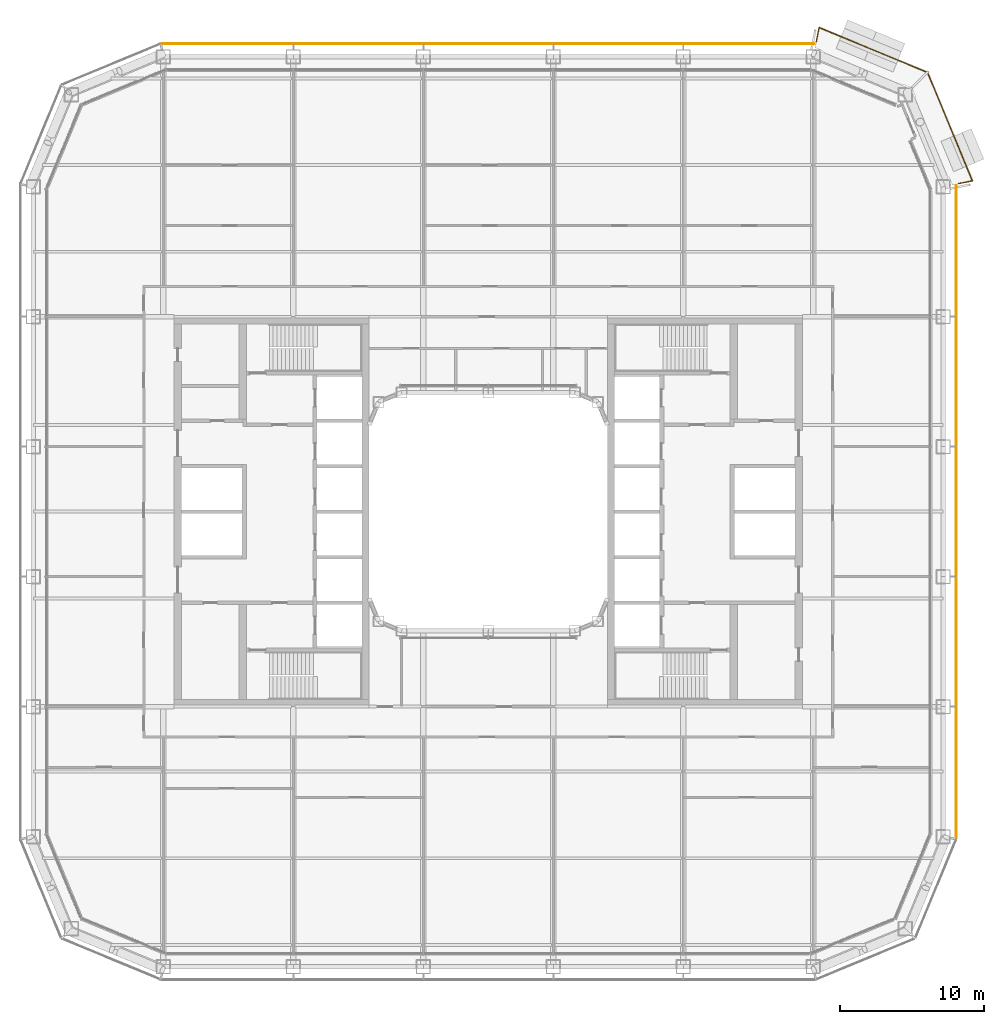
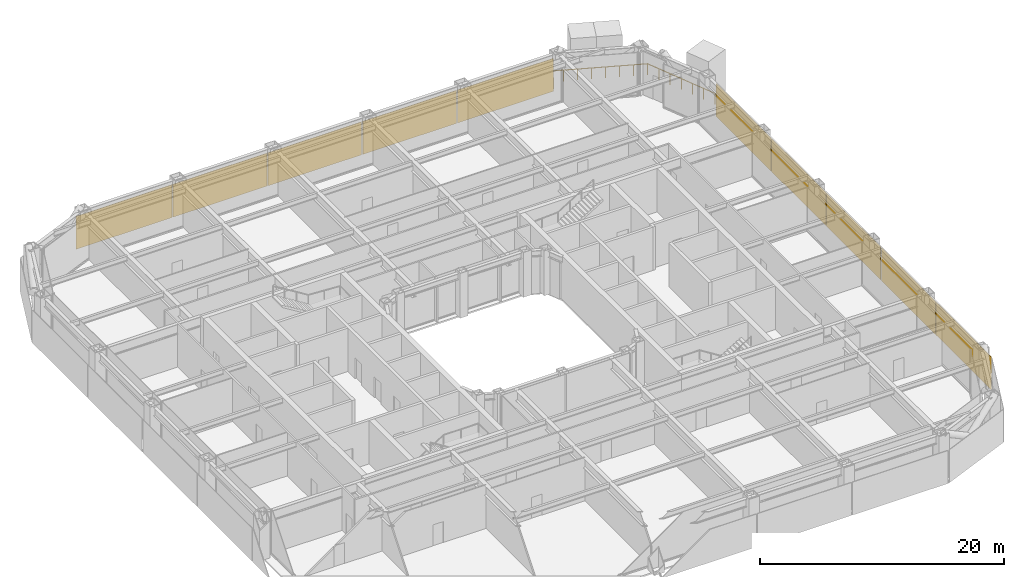
# One storey, part 29 of 30: 10 coverings, 1 railing.
"""IFC4 building model written with IfcOpenShell, lengths in metres."""

from ifc_helpers import new_model, si_unit, direction, frame, origin, origin_2d, place, context, subcontext, project, spatial, rectangle, circle, extrude, material, layer, layer_set, type_object, element, save


model = new_model("IFC4")

# Units and contexts
model_context = context("Model", 3, precision=1e-05, world=origin(), true_north=direction((0.0, 1.0)))
body_context = subcontext(model_context, "Body", "Model", "MODEL_VIEW")
ifc_project = project(units=[si_unit("LENGTHUNIT", "METRE"), si_unit("AREAUNIT", "SQUARE_METRE"), si_unit("VOLUMEUNIT", "CUBIC_METRE"), si_unit("PLANEANGLEUNIT", "RADIAN"), si_unit("MASSUNIT", "GRAM", prefix="KILO")], contexts=[model_context])

# Site, building, storey
site_placement = place(None, origin())
site = spatial("IfcSite", under=ifc_project, at=site_placement, CompositionType="ELEMENT")
building_placement = place(site_placement, origin())
building = spatial("IfcBuilding", under=site, at=building_placement, Name="Siwar Civic Tower", CompositionType="ELEMENT")
storey_placement = place(building_placement, frame((0.0, 0.0, 62.699951171875)))
storey = spatial("IfcBuildingStorey", under=building, at=storey_placement, Name="L13", CompositionType="ELEMENT", Elevation=62.699951171875)

# Railing
ifc_material_1 = material(Name="Stainless steel 316", Category="steel")
railing_type = type_object("IfcRailingType", Name="ENV-GUARD", PredefinedType="GUARDRAIL", material=ifc_material_1)
railing_placement = place(storey_placement, frame((32.547119140625, 22.708251953125, 0.0)))
element("IfcRailing", 1, at=railing_placement, inside=storey, type_object=railing_type, Name="Balcony guard NE", PredefinedType="GUARDRAIL", context=body_context, shape_type="SweptSolid", body=[
    extrude(circle(Radius=0.02392578125, at=origin_2d()), frame((0.0, 0.0, 1.076171875), z_axis=(0.980778661911, 0.195123592472, 0.0), x_axis=(-0.195123592472, 0.980778661911, 0.0)), (0.0, 0.0, 1.0), 0.993408203125),
    extrude(circle(Radius=0.02392578125, at=origin_2d()), frame((0.974365234375, 0.19384765625, 1.076171875), z_axis=(-0.382176720888, 0.924089256518, 0.0), x_axis=(-0.924089256518, -0.382176720888, 0.0)), (0.0, 0.0, 1.0), 8.129638671875),
    extrude(circle(Radius=0.02392578125, at=origin_2d()), frame((-2.132568359375, 7.706298828125, 1.076171875), z_axis=(-0.924089256518, 0.382176720888, 0.0), x_axis=(-0.382176720888, -0.924089256518, 0.0)), (0.0, 0.0, 1.0), 8.129638671875),
    extrude(circle(Radius=0.02392578125, at=origin_2d()), frame((-9.64501953125, 10.813232421875, 1.076171875), z_axis=(-0.195123592472, -0.980778661911, 0.0), x_axis=(0.980778661911, -0.195123592472, 0.0)), (0.0, 0.0, 1.0), 0.993408203125),
    extrude(circle(Radius=0.02099609375, at=origin_2d()), origin(), (0.0, 0.0, 1.0), 1.052001953125),
    extrude(circle(Radius=0.02099609375, at=origin_2d()), frame((0.974365234375, 0.19384765625, 0.0)), (0.0, 0.0, 1.0), 1.052001953125),
    extrude(circle(Radius=0.02099609375, at=origin_2d()), frame((0.530517578125, 1.26708984375, 0.0)), (0.0, 0.0, 1.0), 1.052001953125),
    extrude(circle(Radius=0.02099609375, at=origin_2d()), frame((0.086669921875, 2.34033203125, 0.0)), (0.0, 0.0, 1.0), 1.052001953125),
    extrude(circle(Radius=0.02099609375, at=origin_2d()), frame((-0.357177734375, 3.41357421875, 0.0)), (0.0, 0.0, 1.0), 1.052001953125),
    extrude(circle(Radius=0.02099609375, at=origin_2d()), frame((-0.801025390625, 4.486572265625, 0.0)), (0.0, 0.0, 1.0), 1.052001953125),
    extrude(circle(Radius=0.02099609375, at=origin_2d()), frame((-1.244873046875, 5.559814453125, 0.0)), (0.0, 0.0, 1.0), 1.052001953125),
    extrude(circle(Radius=0.02099609375, at=origin_2d()), frame((-1.688720703125, 6.633056640625, 0.0)), (0.0, 0.0, 1.0), 1.052001953125),
    extrude(circle(Radius=0.02099609375, at=origin_2d()), frame((-2.132568359375, 7.706298828125, 0.0)), (0.0, 0.0, 1.0), 1.052001953125),
    extrude(circle(Radius=0.02099609375, at=origin_2d()), frame((-3.205810546875, 8.150146484375, 0.0)), (0.0, 0.0, 1.0), 1.052001953125),
    extrude(circle(Radius=0.02099609375, at=origin_2d()), frame((-4.279052734375, 8.593994140625, 0.0)), (0.0, 0.0, 1.0), 1.052001953125),
    extrude(circle(Radius=0.02099609375, at=origin_2d()), frame((-5.352294921875, 9.037841796875, 0.0)), (0.0, 0.0, 1.0), 1.052001953125),
    extrude(circle(Radius=0.02099609375, at=origin_2d()), frame((-6.42529296875, 9.481689453125, 0.0)), (0.0, 0.0, 1.0), 1.052001953125),
    extrude(circle(Radius=0.02099609375, at=origin_2d()), frame((-7.49853515625, 9.925537109375, 0.0)), (0.0, 0.0, 1.0), 1.052001953125),
    extrude(circle(Radius=0.02099609375, at=origin_2d()), frame((-8.57177734375, 10.369384765625, 0.0)), (0.0, 0.0, 1.0), 1.052001953125),
    extrude(circle(Radius=0.02099609375, at=origin_2d()), frame((-9.64501953125, 10.813232421875, 0.0)), (0.0, 0.0, 1.0), 1.052001953125),
    extrude(circle(Radius=0.02099609375, at=origin_2d()), frame((-9.8388671875, 9.8388671875, 0.0)), (0.0, 0.0, 1.0), 1.052001953125),
])

# Coverings
ifc_material_2 = material(Name="Perforated aluminium cassette, pale metal", Category="aluminium")
ifc_layer = layer(ifc_material_2, 0.0400390625)
ifc_layer_set = layer_set([ifc_layer], Name="Perforated aluminium cassette, pale metal")
covering_type = type_object("IfcCoveringType", Name="ENV-OUTER SKIN OS-1", PredefinedType="CLADDING", material=ifc_layer_set)
covering_1_placement = place(storey_placement, frame((32.39990234375, -18.07958984375, -0.14990234375), z_axis=(0.0, 0.0, 1.0), x_axis=(0.0, 1.0, 0.0)))
element("IfcCovering", 2, at=covering_1_placement, inside=storey, type_object=covering_type, Name="OUTER SKIN OS-1 E 1", PredefinedType="CLADDING", context=body_context, shape_type="SweptSolid", body=[
    extrude(rectangle(XDim=9.05908203125, YDim=0.0400390625, at=origin_2d()), origin(), (0.0, 0.0, 1.0), 3.300048828125),
])
for number, where, z_axis, x_axis, name in (
    (3, (32.39990234375, -9.0, -0.14990234375), (0.0, 0.0, 1.0), (0.0, 1.0, 0.0), "OUTER SKIN OS-1 E 2"),
    (4, (32.39990234375, 0.0, -0.14990234375), (0.0, 0.0, 1.0), (0.0, 1.0, 0.0), "OUTER SKIN OS-1 E 3"),
    (5, (32.39990234375, 9.0, -0.14990234375), (0.0, 0.0, 1.0), (0.0, 1.0, 0.0), "OUTER SKIN OS-1 E 4"),
):
    element("IfcCovering", number, at=place(storey_placement, frame(where, z_axis=z_axis, x_axis=x_axis)), inside=storey, type_object=covering_type, Name=name, PredefinedType="CLADDING", context=body_context, shape_type="SweptSolid", body=[
        extrude(rectangle(XDim=8.89990234375, YDim=0.0400390625, at=origin_2d()), origin(), (0.0, 0.0, 1.0), 3.300048828125),
    ])
for number, where, z_axis, x_axis, name in (
    (6, (32.39990234375, 18.07958984375, -0.14990234375), (0.0, 0.0, 1.0), (0.0, 1.0, 0.0), "OUTER SKIN OS-1 E 5"),
    (7, (18.07958984375, 32.39990234375, -0.14990234375), (0.0, 0.0, 1.0), (-1.0, 0.0, 0.0), "OUTER SKIN OS-1 N 1"),
):
    element("IfcCovering", number, at=place(storey_placement, frame(where, z_axis=z_axis, x_axis=x_axis)), inside=storey, type_object=covering_type, Name=name, PredefinedType="CLADDING", context=body_context, shape_type="SweptSolid", body=[
        extrude(rectangle(XDim=9.05908203125, YDim=0.0400390625, at=origin_2d()), origin(), (0.0, 0.0, 1.0), 3.300048828125),
    ])
for number, where, z_axis, x_axis, name in (
    (8, (9.0, 32.39990234375, -0.14990234375), (0.0, 0.0, 1.0), (-1.0, 0.0, 0.0), "OUTER SKIN OS-1 N 2"),
    (9, (0.0, 32.39990234375, -0.14990234375), (0.0, 0.0, 1.0), (-1.0, 0.0, 0.0), "OUTER SKIN OS-1 N 3"),
    (10, (-9.0, 32.39990234375, -0.14990234375), (0.0, 0.0, 1.0), (-1.0, 0.0, 0.0), "OUTER SKIN OS-1 N 4"),
):
    element("IfcCovering", number, at=place(storey_placement, frame(where, z_axis=z_axis, x_axis=x_axis)), inside=storey, type_object=covering_type, Name=name, PredefinedType="CLADDING", context=body_context, shape_type="SweptSolid", body=[
        extrude(rectangle(XDim=8.89990234375, YDim=0.0400390625, at=origin_2d()), origin(), (0.0, 0.0, 1.0), 3.300048828125),
    ])
covering_2_placement = place(storey_placement, frame((-18.07958984375, 32.39990234375, -0.14990234375), z_axis=(0.0, 0.0, 1.0), x_axis=(-1.0, 0.0, 0.0)))
element("IfcCovering", 11, at=covering_2_placement, inside=storey, type_object=covering_type, Name="OUTER SKIN OS-1 N 5", PredefinedType="CLADDING", context=body_context, shape_type="SweptSolid", body=[
    extrude(rectangle(XDim=9.05908203125, YDim=0.0400390625, at=origin_2d()), origin(), (0.0, 0.0, 1.0), 3.300048828125),
])

save(model, "model.ifc")
